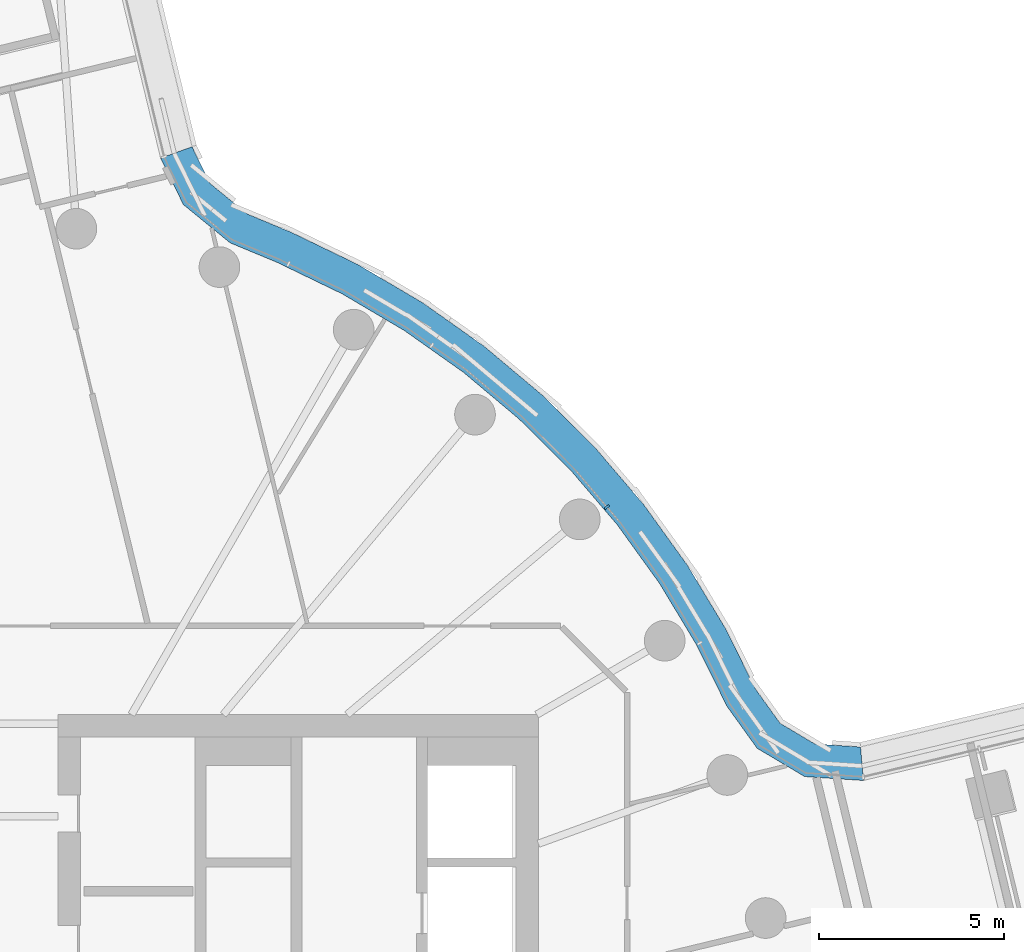
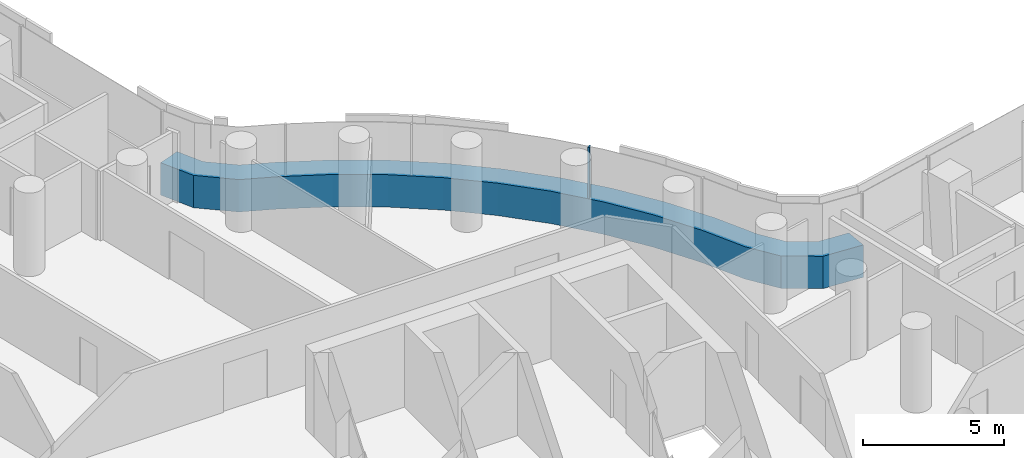
# One storey, part 16 of 33: 2 members, 1 element without a shape of its own.
"""IFC4 building model written with IfcOpenShell, lengths in metres."""

from ifc_helpers import new_model, si_unit, direction, frame, origin, origin_2d, place, context, subcontext, project, spatial, polyline, rectangle, outline, extrude, material, layer, layer_set, material_profile, profile_set, type_object, element, aggregate, save


model = new_model("IFC4")

# Units and contexts
model_context = context("Model", 3, precision=1e-05, world=origin(), true_north=direction((0.0, 1.0)))
body_context = subcontext(model_context, "Body", "Model", "MODEL_VIEW")
ifc_project = project(units=[si_unit("LENGTHUNIT", "METRE"), si_unit("AREAUNIT", "SQUARE_METRE"), si_unit("VOLUMEUNIT", "CUBIC_METRE"), si_unit("PLANEANGLEUNIT", "RADIAN"), si_unit("MASSUNIT", "GRAM", prefix="KILO")], contexts=[model_context])

# Site, building, storey
site_placement = place(None, origin())
site = spatial("IfcSite", under=ifc_project, at=site_placement, CompositionType="ELEMENT")
building_placement = place(site_placement, origin())
building = spatial("IfcBuilding", under=site, at=building_placement, Name="Tamarind Cross Interchange Tower", CompositionType="ELEMENT")
storey_placement = place(building_placement, frame((0.0, 0.0, 83.5)))
storey = spatial("IfcBuildingStorey", under=building, at=storey_placement, Name="L19", CompositionType="ELEMENT", Elevation=83.5)

# Curtain wall, members
ifc_material_1 = material(Name="Aluminium 6063-T6", Category="aluminium")
ifc_layer = layer(ifc_material_1, 0.14990234375)
ifc_layer_set = layer_set([ifc_layer], Name="Aluminium 6063-T6")
curtain_wall_type = type_object("IfcCurtainWallType", Name="Winter garden and crown curtain wall", PredefinedType="NOTDEFINED", material=ifc_layer_set)
curtain_wall_placement = place(storey_placement, origin())
curtain_wall = element("IfcCurtainWall", 1, at=curtain_wall_placement, inside=storey, type_object=curtain_wall_type, Name="CWS-L19-14", PredefinedType="NOTDEFINED")
ifc_material_2 = material(Name="Aluminium and insulated spandrel panel", Category="aluminium")
member_type_1 = type_object("IfcMemberType", Name="Floor-edge blade transom", PredefinedType="USERDEFINED", material=ifc_material_2)
member_1_placement = place(storey_placement, origin())
member_1 = element("IfcMember", 2, at=member_1_placement, type_object=member_type_1, Name="CWT-L19-14", ObjectType="TRANSOM", PredefinedType="USERDEFINED", context=body_context, shape_type="SweptSolid", body=[
    extrude(outline(polyline([(25.29736328125, 7.717041015625), (23.705322265625, 7.82275390625), (22.420166015625, 8.587890625), (21.60498046875, 9.72216796875), (20.791015625, 11.367431640625), (19.78125, 13.045654296875), (18.636474609375, 14.634521484375), (17.3642578125, 16.12353515625), (15.973388671875, 17.50244140625), (14.4736328125, 18.76171875), (12.874755859375, 19.892822265625), (11.188232421875, 20.88818359375), (9.42138671875, 21.742431640625), (8.156982421875, 22.267333984375), (6.890625, 23.303466796875), (6.2734375, 24.56298828125), (7.125244140625, 24.870361328125), (7.612548828125, 23.875732421875), (8.624267578125, 23.0478515625), (9.790283203125, 22.563720703125), (11.613525390625, 21.68212890625), (13.3642578125, 20.64892578125), (15.023681640625, 19.474853515625), (16.580810546875, 18.167724609375), (18.0244140625, 16.736572265625), (19.344970703125, 15.19091796875), (20.533203125, 13.54150390625), (21.581298828125, 11.7998046875), (22.37890625, 10.1875), (23.041748046875, 9.265380859375), (23.980224609375, 8.706298828125), (25.22021484375, 8.6240234375), (25.29736328125, 7.717041015625)])), origin(), (0.0, 0.0, 1.0), 1.39990234375),
])
ifc_material_profile = material_profile(ifc_material_1, rectangle(XDim=0.06005859375, YDim=0.14990234375, at=origin_2d()), Name="Mullion CW6")
ifc_profile_set = profile_set([ifc_material_profile], Name="Aluminium 6063-T6")
member_type_2 = type_object("IfcMemberType", Name="Mullion CW6", PredefinedType="MULLION", material=ifc_profile_set)
member_2_placement = place(storey_placement, frame((18.353759765625, 15.119140625, 1.39990234375), z_axis=(0.0, 0.0, 1.0), x_axis=(-0.64957723968, 0.760295606781, 0.0)))
member_2 = element("IfcMember", 3, at=member_2_placement, type_object=member_type_2, Name="CWM-L19-14-02", PredefinedType="MULLION", context=body_context, shape_type="SweptSolid", body=[
    extrude(rectangle(XDim=0.06005859375, YDim=0.14990234375, at=origin_2d()), origin(), (0.0, 0.0, 1.0), 2.210205078125),
])
aggregate(curtain_wall, [member_2, member_1])

save(model, "model.ifc")
